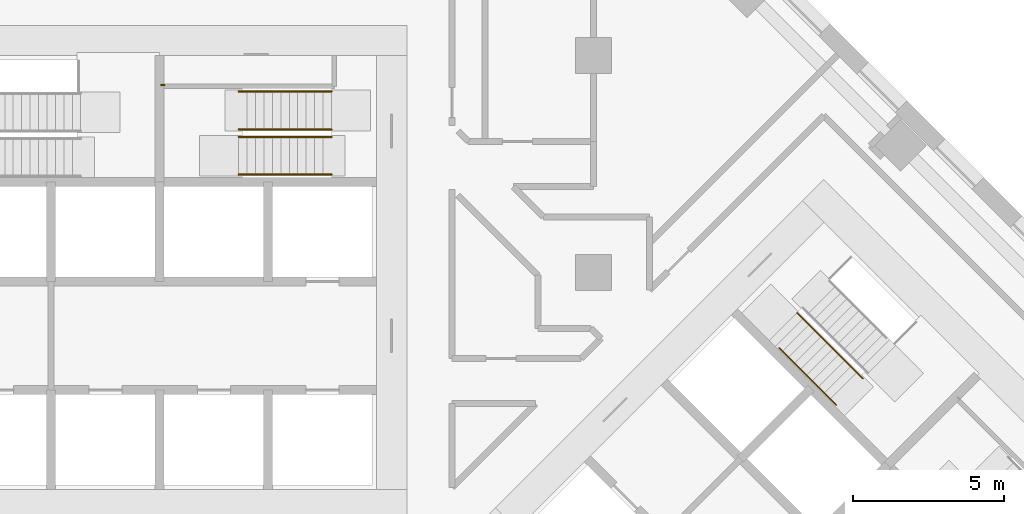
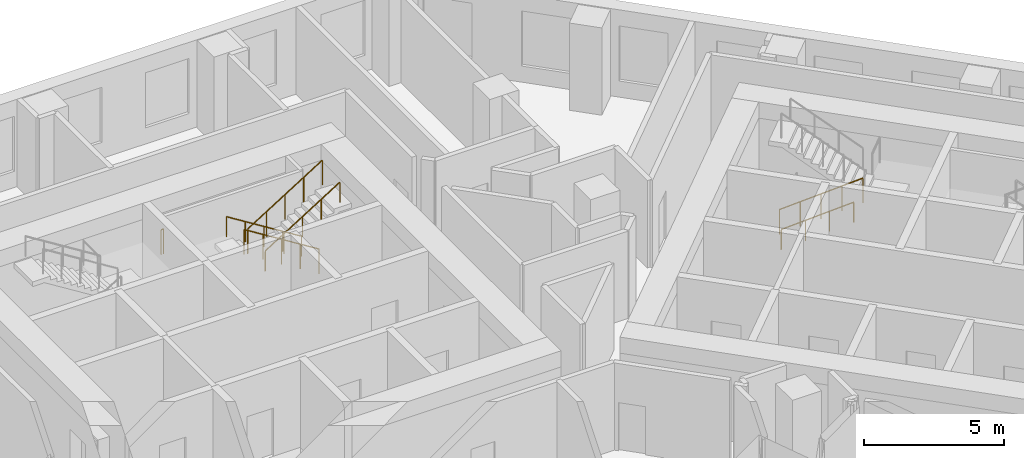
# One storey, part 13 of 14: 7 railings.
"""IFC4 building model written with IfcOpenShell, lengths in metres."""

from ifc_helpers import new_model, si_unit, direction, frame, origin, origin_2d, place, context, subcontext, project, spatial, circle, extrude, material, type_object, element, save


model = new_model("IFC4")

# Units and contexts
model_context = context("Model", 3, precision=1e-05, world=origin(), true_north=direction((0.0, 1.0)))
body_context = subcontext(model_context, "Body", "Model", "MODEL_VIEW")
ifc_project = project(units=[si_unit("LENGTHUNIT", "METRE"), si_unit("AREAUNIT", "SQUARE_METRE"), si_unit("VOLUMEUNIT", "CUBIC_METRE"), si_unit("PLANEANGLEUNIT", "RADIAN"), si_unit("MASSUNIT", "GRAM", prefix="KILO")], contexts=[model_context])

# Site, building, storey
site_placement = place(None, origin())
site = spatial("IfcSite", under=ifc_project, at=site_placement, CompositionType="ELEMENT")
building_placement = place(site_placement, origin())
building = spatial("IfcBuilding", under=site, at=building_placement, Name="Windrow Commons", CompositionType="ELEMENT")
storey_placement = place(building_placement, frame((0.0, 0.0, 18.6)))
storey = spatial("IfcBuildingStorey", under=building, at=storey_placement, Name="L04", CompositionType="ELEMENT", Elevation=18.6)

# Railings
ifc_material_1 = material(Name="Steel S355", Category="steel")
railing_type_1 = type_object("IfcRailingType", Name="Core stair guard 1100", PredefinedType="GUARDRAIL", material=ifc_material_1)
railing_1_placement = place(storey_placement, frame((70.5, 62.355, 0.175)))
element("IfcRailing", 1, at=railing_1_placement, inside=storey, type_object=railing_type_1, Name="L04 ST-A2 stair guard 1", PredefinedType="GUARDRAIL", context=body_context, shape_type="SweptSolid", body=[
    extrude(circle(Radius=0.024, at=origin_2d()), frame((0.0, 0.0, 1.076), z_axis=(-0.847998304, 0.0, 0.52999894), x_axis=(0.0, -1.0, 0.0)), (0.0, 0.0, 1.0), 3.6321),
    extrude(circle(Radius=0.021, at=origin_2d()), origin(), (0.0, 0.0, 1.0), 1.052),
    extrude(circle(Radius=0.021, at=origin_2d()), frame((-0.77, 0.0, 0.4813)), (0.0, 0.0, 1.0), 1.052),
    extrude(circle(Radius=0.021, at=origin_2d()), frame((-1.54, 0.0, 0.9625)), (0.0, 0.0, 1.0), 1.052),
    extrude(circle(Radius=0.021, at=origin_2d()), frame((-2.31, 0.0, 1.4438)), (0.0, 0.0, 1.0), 1.052),
    extrude(circle(Radius=0.021, at=origin_2d()), frame((-3.08, 0.0, 1.925)), (0.0, 0.0, 1.0), 1.052),
])
railing_2_placement = place(storey_placement, frame((67.42, 62.105, 2.275)))
element("IfcRailing", 2, at=railing_2_placement, inside=storey, type_object=railing_type_1, Name="L04 ST-A2 stair guard 2", PredefinedType="GUARDRAIL", context=body_context, shape_type="SweptSolid", body=[
    extrude(circle(Radius=0.024, at=origin_2d()), frame((0.0, 0.0, 1.076), z_axis=(0.847998304, 0.0, 0.52999894), x_axis=(0.0, 1.0, 0.0)), (0.0, 0.0, 1.0), 3.6321),
    extrude(circle(Radius=0.021, at=origin_2d()), origin(), (0.0, 0.0, 1.0), 1.052),
    extrude(circle(Radius=0.021, at=origin_2d()), frame((0.77, 0.0, 0.4813)), (0.0, 0.0, 1.0), 1.052),
    extrude(circle(Radius=0.021, at=origin_2d()), frame((1.54, 0.0, 0.9625)), (0.0, 0.0, 1.0), 1.052),
    extrude(circle(Radius=0.021, at=origin_2d()), frame((2.31, 0.0, 1.4438)), (0.0, 0.0, 1.0), 1.052),
    extrude(circle(Radius=0.021, at=origin_2d()), frame((3.08, 0.0, 1.925)), (0.0, 0.0, 1.0), 1.052),
])
railing_3_placement = place(storey_placement, frame((64.95, 63.825, 2.1)))
element("IfcRailing", 3, at=railing_3_placement, inside=storey, type_object=railing_type_1, Name="L04 ST-A2 stair guard 3", PredefinedType="GUARDRAIL", context=body_context, shape_type="SweptSolid", body=[
    extrude(circle(Radius=0.024, at=origin_2d()), frame((0.0, 0.0, 1.076), z_axis=(-1.0, 0.0, 0.0), x_axis=(0.0, -1.0, 0.0)), (0.0, 0.0, 1.0), 0.1),
    extrude(circle(Radius=0.021, at=origin_2d()), origin(), (0.0, 0.0, 1.0), 1.052),
    extrude(circle(Radius=0.021, at=origin_2d()), frame((-0.1, 0.0, 0.0)), (0.0, 0.0, 1.0), 1.052),
])
railing_4_placement = place(storey_placement, frame((85.9529, 56.2669, 0.175)))
element("IfcRailing", 4, at=railing_4_placement, inside=storey, type_object=railing_type_1, Name="L04 ST-B1 stair guard 1", PredefinedType="GUARDRAIL", context=body_context, shape_type="SweptSolid", body=[
    extrude(circle(Radius=0.024, at=origin_2d()), frame((0.0, 0.0, 1.076), z_axis=(0.5996262107, -0.5996262107, 0.5299969951), x_axis=(0.7071067812, 0.7071067812, 0.0)), (0.0, 0.0, 1.0), 3.6321),
    extrude(circle(Radius=0.021, at=origin_2d()), origin(), (0.0, 0.0, 1.0), 1.052),
    extrude(circle(Radius=0.021, at=origin_2d()), frame((0.5445, -0.5445, 0.4813)), (0.0, 0.0, 1.0), 1.052),
    extrude(circle(Radius=0.021, at=origin_2d()), frame((1.0889, -1.089, 0.9625)), (0.0, 0.0, 1.0), 1.052),
    extrude(circle(Radius=0.021, at=origin_2d()), frame((1.6334, -1.6334, 1.4438)), (0.0, 0.0, 1.0), 1.052),
    extrude(circle(Radius=0.021, at=origin_2d()), frame((2.1779, -2.1779, 1.925)), (0.0, 0.0, 1.0), 1.052),
])
ifc_material_2 = material(Name="Steel S355", Category="steel")
railing_type_2 = type_object("IfcRailingType", Name="Core stair handrail 900", PredefinedType="HANDRAIL", material=ifc_material_2)
railing_5_placement = place(storey_placement, frame((70.5, 63.605, 0.175)))
element("IfcRailing", 5, at=railing_5_placement, inside=storey, type_object=railing_type_2, Name="L04 ST-A2 stair handrail 1", PredefinedType="HANDRAIL", context=body_context, shape_type="SweptSolid", body=[
    extrude(circle(Radius=0.024, at=origin_2d()), frame((0.0, 0.0, 0.876), z_axis=(-0.847998304, 0.0, 0.52999894), x_axis=(0.0, -1.0, 0.0)), (0.0, 0.0, 1.0), 3.6321),
    extrude(circle(Radius=0.021, at=origin_2d()), origin(), (0.0, 0.0, 1.0), 0.852),
    extrude(circle(Radius=0.021, at=origin_2d()), frame((-0.77, 0.0, 0.4813)), (0.0, 0.0, 1.0), 0.852),
    extrude(circle(Radius=0.021, at=origin_2d()), frame((-1.54, 0.0, 0.9625)), (0.0, 0.0, 1.0), 0.852),
    extrude(circle(Radius=0.021, at=origin_2d()), frame((-2.31, 0.0, 1.4438)), (0.0, 0.0, 1.0), 0.852),
    extrude(circle(Radius=0.021, at=origin_2d()), frame((-3.08, 0.0, 1.925)), (0.0, 0.0, 1.0), 0.852),
])
railing_6_placement = place(storey_placement, frame((67.42, 60.855, 2.275)))
element("IfcRailing", 6, at=railing_6_placement, inside=storey, type_object=railing_type_2, Name="L04 ST-A2 stair handrail 2", PredefinedType="HANDRAIL", context=body_context, shape_type="SweptSolid", body=[
    extrude(circle(Radius=0.024, at=origin_2d()), frame((0.0, 0.0, 0.876), z_axis=(0.847998304, 0.0, 0.52999894), x_axis=(0.0, 1.0, 0.0)), (0.0, 0.0, 1.0), 3.6321),
    extrude(circle(Radius=0.021, at=origin_2d()), origin(), (0.0, 0.0, 1.0), 0.852),
    extrude(circle(Radius=0.021, at=origin_2d()), frame((0.77, 0.0, 0.4813)), (0.0, 0.0, 1.0), 0.852),
    extrude(circle(Radius=0.021, at=origin_2d()), frame((1.54, 0.0, 0.9625)), (0.0, 0.0, 1.0), 0.852),
    extrude(circle(Radius=0.021, at=origin_2d()), frame((2.31, 0.0, 1.4438)), (0.0, 0.0, 1.0), 0.852),
    extrude(circle(Radius=0.021, at=origin_2d()), frame((3.08, 0.0, 1.925)), (0.0, 0.0, 1.0), 0.852),
])
railing_7_placement = place(storey_placement, frame((85.3518, 55.1001, 0.425)))
element("IfcRailing", 7, at=railing_7_placement, inside=storey, type_object=railing_type_2, Name="L04 ST-B1 stair handrail 1", PredefinedType="HANDRAIL", context=body_context, shape_type="SweptSolid", body=[
    extrude(circle(Radius=0.024, at=origin_2d()), frame((0.0, 0.0, 0.876), z_axis=(0.599641512, -0.5996098703, 0.5299981703), x_axis=(0.7070881243, 0.7071254376, 0.0)), (0.0, 0.0, 1.0), 3.1604),
    extrude(circle(Radius=0.021, at=origin_2d()), origin(), (0.0, 0.0, 1.0), 0.852),
    extrude(circle(Radius=0.021, at=origin_2d()), frame((0.6317, -0.6317, 0.5583)), (0.0, 0.0, 1.0), 0.852),
    extrude(circle(Radius=0.021, at=origin_2d()), frame((1.2634, -1.2633, 1.1167)), (0.0, 0.0, 1.0), 0.852),
    extrude(circle(Radius=0.021, at=origin_2d()), frame((1.8951, -1.895, 1.675)), (0.0, 0.0, 1.0), 0.852),
])

save(model, "model.ifc")
